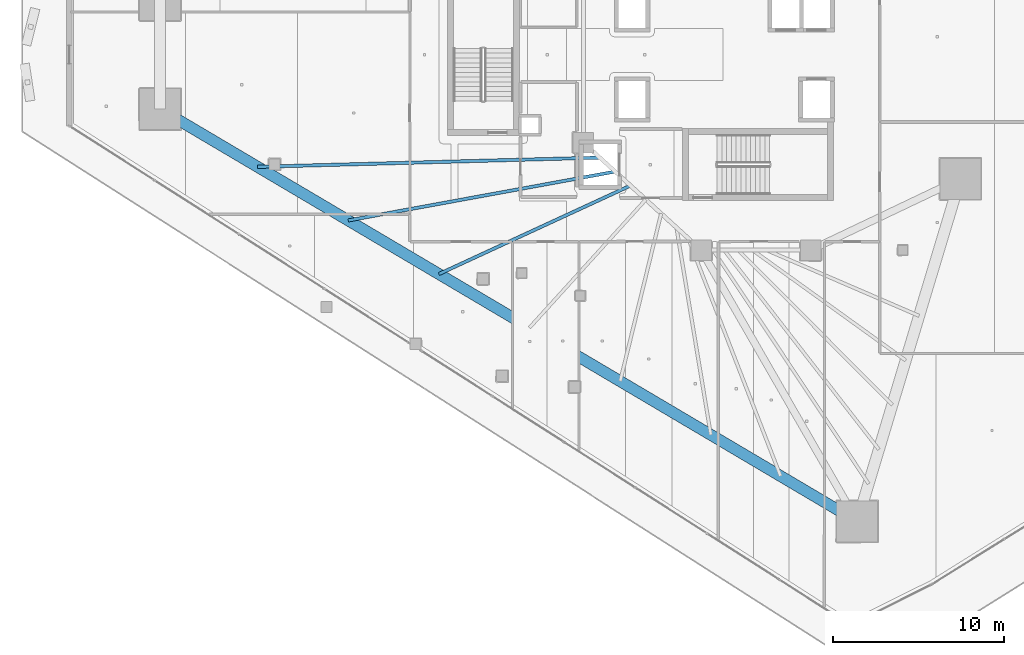
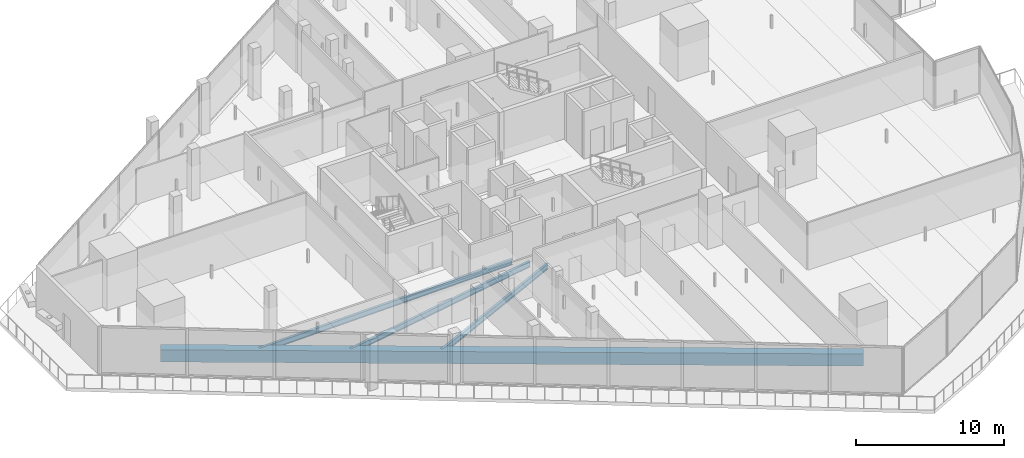
# One storey, part 6 of 44: 4 beams.
"""IFC4 building model written with IfcOpenShell, lengths in metres."""

from ifc_helpers import new_model, si_unit, direction, frame, origin, origin_2d, place, context, subcontext, project, spatial, rectangle, i_section, extrude, material, material_profile, profile_set, type_object, element, save


model = new_model("IFC4")

# Units and contexts
model_context = context("Model", 3, precision=1e-05, world=origin(), true_north=direction((0.0, 1.0)))
body_context = subcontext(model_context, "Body", "Model", "MODEL_VIEW")
ifc_project = project(units=[si_unit("LENGTHUNIT", "METRE"), si_unit("AREAUNIT", "SQUARE_METRE"), si_unit("VOLUMEUNIT", "CUBIC_METRE"), si_unit("PLANEANGLEUNIT", "RADIAN"), si_unit("MASSUNIT", "GRAM", prefix="KILO")], contexts=[model_context])

# Site, building, storey
site_placement = place(None, origin())
site = spatial("IfcSite", under=ifc_project, at=site_placement, CompositionType="ELEMENT")
building_placement = place(site_placement, origin())
building = spatial("IfcBuilding", under=site, at=building_placement, Name="Qorvath Tower", CompositionType="ELEMENT")
storey_placement = place(building_placement, frame((0.0, 0.0, 45.0)))
storey = spatial("IfcBuildingStorey", under=building, at=storey_placement, Name="L09", CompositionType="ELEMENT", Elevation=45.0)

# Beams
ifc_material_1 = material(Name="Steel ASTM A992 Grade 50", Category="steel")
ifc_material_profile_1 = material_profile(ifc_material_1, i_section(OverallWidth=0.18994140625, OverallDepth=0.45703125, WebThickness=0.009033203125, FlangeThickness=0.014404296875, FilletRadius=0.011962890625, at=origin_2d()), Name="W18x50")
ifc_profile_set_1 = profile_set([ifc_material_profile_1], Name="Steel ASTM A992 Grade 50")
beam_type_1 = type_object("IfcBeamType", Name="BM-FJ2", PredefinedType="JOIST", material=ifc_profile_set_1)
beam_1_placement = place(storey_placement, frame((-29.533935546875, -6.031982421875, -0.508544921875), z_axis=(-0.999634925413, -0.02701880631, 0.0), x_axis=(0.02701880631, -0.999634925413, 0.0)))
element("IfcBeam", 1, at=beam_1_placement, inside=storey, type_object=beam_type_1, Name="Composite Floor Joist SW1 L09", PredefinedType="JOIST", context=body_context, shape_type="SweptSolid", body=[
    extrude(i_section(OverallWidth=0.18994140625, OverallDepth=0.45703125, WebThickness=0.009033203125, FlangeThickness=0.014404296875, FilletRadius=0.011962890625, at=origin_2d()), origin(), (0.0, 0.0, 1.0), 20.041748046875),
])
beam_2_placement = place(storey_placement, frame((-28.636962890625, -6.85107421875, -0.508544921875), z_axis=(-0.983656498786, -0.180055248176, 0.0), x_axis=(0.180055248176, -0.983656498786, 0.0)))
element("IfcBeam", 2, at=beam_2_placement, inside=storey, type_object=beam_type_1, Name="Composite Floor Joist SW2 L09", PredefinedType="JOIST", context=body_context, shape_type="SweptSolid", body=[
    extrude(i_section(OverallWidth=0.18994140625, OverallDepth=0.45703125, WebThickness=0.009033203125, FlangeThickness=0.014404296875, FilletRadius=0.011962890625, at=origin_2d()), origin(), (0.0, 0.0, 1.0), 15.884521484375),
])
beam_3_placement = place(storey_placement, frame((-27.739990234375, -7.669921875, -0.508544921875), z_axis=(-0.907881281747, -0.419227358665, 0.0), x_axis=(0.419227358665, -0.907881281747, 0.0)))
element("IfcBeam", 3, at=beam_3_placement, inside=storey, type_object=beam_type_1, Name="Composite Floor Joist SW3 L09", PredefinedType="JOIST", context=body_context, shape_type="SweptSolid", body=[
    extrude(i_section(OverallWidth=0.18994140625, OverallDepth=0.45703125, WebThickness=0.009033203125, FlangeThickness=0.014404296875, FilletRadius=0.011962890625, at=origin_2d()), origin(), (0.0, 0.0, 1.0), 12.353515625),
])
ifc_material_2 = material(Name="Concrete C50/60", Category="concrete")
ifc_material_profile_2 = material_profile(ifc_material_2, rectangle(XDim=0.64990234375, YDim=1.0, at=origin_2d()), Name="RCB 1000x650")
ifc_profile_set_2 = profile_set([ifc_material_profile_2], Name="Concrete C50/60")
beam_type_2 = type_object("IfcBeamType", Name="BM-RCB1", PredefinedType="SPANDREL", material=ifc_profile_set_2)
beam_4_placement = place(storey_placement, frame((-55.282958984375, -3.194580078125, -0.780029296875), z_axis=(0.860777360917, -0.508981664633, 0.0), x_axis=(0.508981664633, 0.860777360917, 0.0)))
element("IfcBeam", 4, at=beam_4_placement, inside=storey, type_object=beam_type_2, Name="Perimeter Loggia Frame Beam MC2-MC3 L09", PredefinedType="SPANDREL", context=body_context, shape_type="SweptSolid", body=[
    extrude(rectangle(XDim=0.64990234375, YDim=1.0, at=origin_2d()), origin(), (0.0, 0.0, 1.0), 47.420654296875),
])

save(model, "model.ifc")
